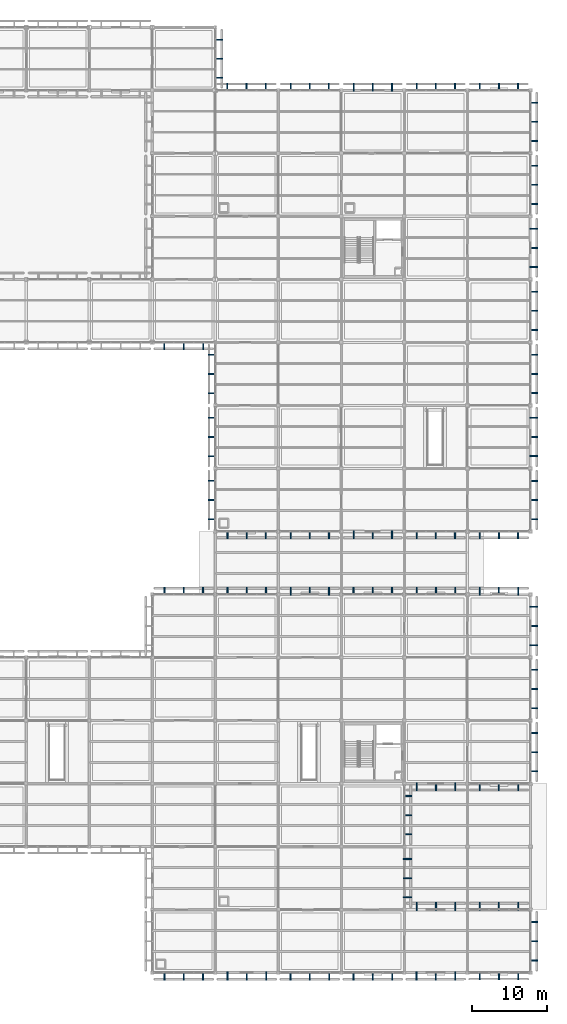
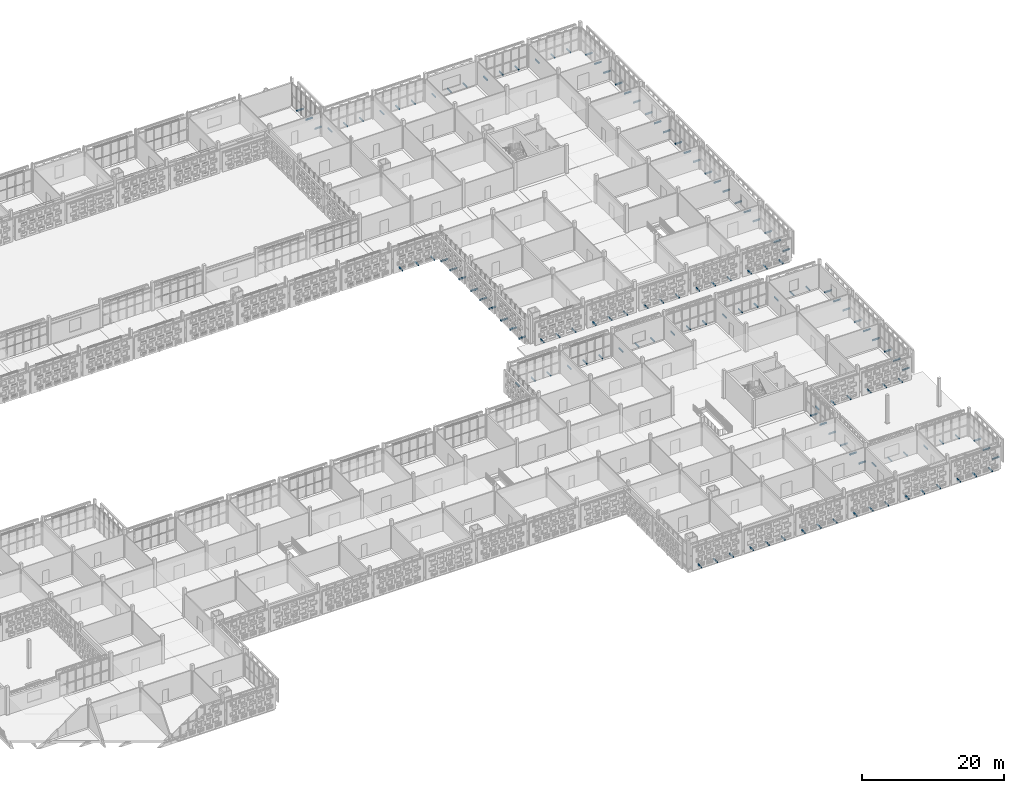
# One storey, part 132 of 203: 132 discrete accessories.
"""IFC4 building model written with IfcOpenShell, lengths in metres."""

from ifc_helpers import new_model, si_unit, direction, frame, origin, origin_2d, place, context, subcontext, project, spatial, rectangle, extrude, material, type_object, element, save


model = new_model("IFC4")

# Units and contexts
model_context = context("Model", 3, precision=1e-05, world=origin(), true_north=direction((0.0, 1.0)))
body_context = subcontext(model_context, "Body", "Model", "MODEL_VIEW")
ifc_project = project(units=[si_unit("LENGTHUNIT", "METRE"), si_unit("AREAUNIT", "SQUARE_METRE"), si_unit("VOLUMEUNIT", "CUBIC_METRE"), si_unit("PLANEANGLEUNIT", "RADIAN"), si_unit("MASSUNIT", "GRAM", prefix="KILO")], contexts=[model_context])

# Site, building, storey
site_placement = place(None, origin())
site = spatial("IfcSite", under=ifc_project, at=site_placement, CompositionType="ELEMENT")
building_placement = place(site_placement, origin())
building = spatial("IfcBuilding", under=site, at=building_placement, Name="Varnapada Polytechnic", CompositionType="ELEMENT")
storey_placement = place(building_placement, frame((0.0, 0.0, 4.800048828125)))
storey = spatial("IfcBuildingStorey", under=building, at=storey_placement, Name="L01", CompositionType="ELEMENT", Elevation=4.800048828125)

# Discrete accessories
ifc_material = material(Name="Steel S355", Category="steel")
discrete_accessory_type = type_object("IfcDiscreteAccessoryType", Name="Screen Outrigger Bracket BRK-01", PredefinedType="BRACKET", material=ifc_material)
for number, where, z_axis, x_axis, name in (
    (1, (132.772705078125, -0.425048828125, -0.0498046875), (0.0, 0.0, 1.0), (-1.0, 0.0, 0.0), "L01 terracotta screen outrigger bracket 102.1"),
    (2, (130.199951171875, -0.425048828125, -0.0498046875), (0.0, 0.0, 1.0), (-1.0, 0.0, 0.0), "L01 terracotta screen outrigger bracket 102.2"),
    (3, (127.627197265625, -0.425048828125, -0.0498046875), (0.0, 0.0, 1.0), (-1.0, 0.0, 0.0), "L01 terracotta screen outrigger bracket 102.3"),
    (4, (127.62548828125, 50.824951171875, -0.0498046875), (0.0, 0.0, 1.0), (1.0, 0.0, 0.0), "L01 terracotta screen outrigger bracket 105.1"),
    (5, (130.195068359375, 50.824951171875, -0.0498046875), (0.0, 0.0, 1.0), (1.0, 0.0, 0.0), "L01 terracotta screen outrigger bracket 105.2"),
    (6, (132.7646484375, 50.824951171875, -0.0498046875), (0.0, 0.0, 1.0), (1.0, 0.0, 0.0), "L01 terracotta screen outrigger bracket 105.3"),
    (7, (132.7919921875, 83.574951171875, -0.0498046875), (0.0, 0.0, 1.0), (-1.0, 0.0, 0.0), "L01 terracotta screen outrigger bracket 107.1"),
    (8, (130.199951171875, 83.574951171875, -0.0498046875), (0.0, 0.0, 1.0), (-1.0, 0.0, 0.0), "L01 terracotta screen outrigger bracket 107.2"),
    (9, (127.60791015625, 83.574951171875, -0.0498046875), (0.0, 0.0, 1.0), (-1.0, 0.0, 0.0), "L01 terracotta screen outrigger bracket 107.3"),
    (10, (134.824951171875, 124.3525390625, -0.0498046875), (0.0, 0.0, 1.0), (0.0, -1.0, 0.0), "L01 terracotta screen outrigger bracket 112.1"),
    (11, (134.824951171875, 121.81494140625, -0.0498046875), (0.0, 0.0, 1.0), (0.0, -1.0, 0.0), "L01 terracotta screen outrigger bracket 112.2"),
    (12, (134.824951171875, 119.27734375, -0.0498046875), (0.0, 0.0, 1.0), (0.0, -1.0, 0.0), "L01 terracotta screen outrigger bracket 112.3"),
    (13, (141.1728515625, -0.425048828125, -0.0498046875), (0.0, 0.0, 1.0), (-1.0, 0.0, 0.0), "L01 terracotta screen outrigger bracket 113.1"),
    (14, (138.60009765625, -0.425048828125, -0.0498046875), (0.0, 0.0, 1.0), (-1.0, 0.0, 0.0), "L01 terracotta screen outrigger bracket 113.2"),
    (15, (136.027099609375, -0.425048828125, -0.0498046875), (0.0, 0.0, 1.0), (-1.0, 0.0, 0.0), "L01 terracotta screen outrigger bracket 113.3"),
    (16, (136.03173828125, 50.824951171875, -0.0498046875), (0.0, 0.0, 1.0), (1.0, 0.0, 0.0), "L01 terracotta screen outrigger bracket 114.1"),
    (17, (138.594970703125, 50.824951171875, -0.0498046875), (0.0, 0.0, 1.0), (1.0, 0.0, 0.0), "L01 terracotta screen outrigger bracket 114.2"),
    (18, (141.158203125, 50.824951171875, -0.0498046875), (0.0, 0.0, 1.0), (1.0, 0.0, 0.0), "L01 terracotta screen outrigger bracket 114.3"),
    (19, (141.141845703125, 58.375, -0.0498046875), (0.0, 0.0, 1.0), (-1.0, 0.0, 0.0), "L01 terracotta screen outrigger bracket 115.1"),
    (20, (138.5849609375, 58.375, -0.0498046875), (0.0, 0.0, 1.0), (-1.0, 0.0, 0.0), "L01 terracotta screen outrigger bracket 115.2"),
    (21, (136.0283203125, 58.375, -0.0498046875), (0.0, 0.0, 1.0), (-1.0, 0.0, 0.0), "L01 terracotta screen outrigger bracket 115.3"),
    (22, (133.97509765625, 60.429931640625, -0.0498046875), (0.0, 0.0, 1.0), (0.0, 1.0, 0.0), "L01 terracotta screen outrigger bracket 116.1"),
    (23, (133.97509765625, 62.989990234375, -0.0498046875), (0.0, 0.0, 1.0), (0.0, 1.0, 0.0), "L01 terracotta screen outrigger bracket 116.2"),
    (24, (133.97509765625, 65.550048828125, -0.0498046875), (0.0, 0.0, 1.0), (0.0, 1.0, 0.0), "L01 terracotta screen outrigger bracket 116.3"),
    (25, (133.97509765625, 68.846435546875, -0.0498046875), (0.0, 0.0, 1.0), (0.0, 1.0, 0.0), "L01 terracotta screen outrigger bracket 117.1"),
    (26, (133.97509765625, 71.39990234375, -0.0498046875), (0.0, 0.0, 1.0), (0.0, 1.0, 0.0), "L01 terracotta screen outrigger bracket 117.2"),
    (27, (133.97509765625, 73.95361328125, -0.0498046875), (0.0, 0.0, 1.0), (0.0, 1.0, 0.0), "L01 terracotta screen outrigger bracket 117.3"),
    (28, (133.97509765625, 77.24462890625, -0.0498046875), (0.0, 0.0, 1.0), (0.0, 1.0, 0.0), "L01 terracotta screen outrigger bracket 118.1"),
    (29, (133.97509765625, 79.794921875, -0.0498046875), (0.0, 0.0, 1.0), (0.0, 1.0, 0.0), "L01 terracotta screen outrigger bracket 118.2"),
    (30, (133.97509765625, 82.345458984375, -0.0498046875), (0.0, 0.0, 1.0), (0.0, 1.0, 0.0), "L01 terracotta screen outrigger bracket 118.3"),
    (31, (135.99365234375, 118.02490234375, -0.0498046875), (0.0, 0.0, 1.0), (1.0, 0.0, 0.0), "L01 terracotta screen outrigger bracket 119.1"),
    (32, (138.56005859375, 118.02490234375, -0.0498046875), (0.0, 0.0, 1.0), (1.0, 0.0, 0.0), "L01 terracotta screen outrigger bracket 119.2"),
    (33, (141.12646484375, 118.02490234375, -0.0498046875), (0.0, 0.0, 1.0), (1.0, 0.0, 0.0), "L01 terracotta screen outrigger bracket 119.3"),
    (34, (149.57275390625, -0.425048828125, -0.0498046875), (0.0, 0.0, 1.0), (-1.0, 0.0, 0.0), "L01 terracotta screen outrigger bracket 120.1"),
    (35, (147.0, -0.425048828125, -0.0498046875), (0.0, 0.0, 1.0), (-1.0, 0.0, 0.0), "L01 terracotta screen outrigger bracket 120.2"),
    (36, (144.42724609375, -0.425048828125, -0.0498046875), (0.0, 0.0, 1.0), (-1.0, 0.0, 0.0), "L01 terracotta screen outrigger bracket 120.3"),
    (37, (144.44189453125, 50.824951171875, -0.0498046875), (0.0, 0.0, 1.0), (1.0, 0.0, 0.0), "L01 terracotta screen outrigger bracket 121.1"),
    (38, (147.0048828125, 50.824951171875, -0.0498046875), (0.0, 0.0, 1.0), (1.0, 0.0, 0.0), "L01 terracotta screen outrigger bracket 121.2"),
    (39, (149.568115234375, 50.824951171875, -0.0498046875), (0.0, 0.0, 1.0), (1.0, 0.0, 0.0), "L01 terracotta screen outrigger bracket 121.3"),
    (40, (149.547119140625, 58.375, -0.0498046875), (0.0, 0.0, 1.0), (-1.0, 0.0, 0.0), "L01 terracotta screen outrigger bracket 122.1"),
    (41, (147.0, 58.375, -0.0498046875), (0.0, 0.0, 1.0), (-1.0, 0.0, 0.0), "L01 terracotta screen outrigger bracket 122.2"),
    (42, (144.452880859375, 58.375, -0.0498046875), (0.0, 0.0, 1.0), (-1.0, 0.0, 0.0), "L01 terracotta screen outrigger bracket 122.3"),
    (43, (144.459228515625, 118.02490234375, -0.0498046875), (0.0, 0.0, 1.0), (1.0, 0.0, 0.0), "L01 terracotta screen outrigger bracket 123.1"),
    (44, (147.0, 118.02490234375, -0.0498046875), (0.0, 0.0, 1.0), (1.0, 0.0, 0.0), "L01 terracotta screen outrigger bracket 123.2"),
    (45, (149.540771484375, 118.02490234375, -0.0498046875), (0.0, 0.0, 1.0), (1.0, 0.0, 0.0), "L01 terracotta screen outrigger bracket 123.3"),
    (46, (157.972900390625, -0.425048828125, -0.0498046875), (0.0, 0.0, 1.0), (-1.0, 0.0, 0.0), "L01 terracotta screen outrigger bracket 124.1"),
    (47, (155.39990234375, -0.425048828125, -0.0498046875), (0.0, 0.0, 1.0), (-1.0, 0.0, 0.0), "L01 terracotta screen outrigger bracket 124.2"),
    (48, (152.8271484375, -0.425048828125, -0.0498046875), (0.0, 0.0, 1.0), (-1.0, 0.0, 0.0), "L01 terracotta screen outrigger bracket 124.3"),
    (49, (160.02490234375, 15.159912109375, -0.0498046875), (0.0, 0.0, 1.0), (0.0, -1.0, 0.0), "L01 terracotta screen outrigger bracket 125.1"),
    (50, (160.02490234375, 12.60009765625, -0.0498046875), (0.0, 0.0, 1.0), (0.0, -1.0, 0.0), "L01 terracotta screen outrigger bracket 125.2"),
    (51, (160.02490234375, 10.0400390625, -0.0498046875), (0.0, 0.0, 1.0), (0.0, -1.0, 0.0), "L01 terracotta screen outrigger bracket 125.3"),
    (52, (160.02490234375, 23.56005859375, -0.0498046875), (0.0, 0.0, 1.0), (0.0, -1.0, 0.0), "L01 terracotta screen outrigger bracket 126.1"),
    (53, (160.02490234375, 21.0, -0.0498046875), (0.0, 0.0, 1.0), (0.0, -1.0, 0.0), "L01 terracotta screen outrigger bracket 126.2"),
    (54, (160.02490234375, 18.43994140625, -0.0498046875), (0.0, 0.0, 1.0), (0.0, -1.0, 0.0), "L01 terracotta screen outrigger bracket 126.3"),
    (55, (152.831787109375, 50.824951171875, -0.0498046875), (0.0, 0.0, 1.0), (1.0, 0.0, 0.0), "L01 terracotta screen outrigger bracket 127.1"),
    (56, (155.39501953125, 50.824951171875, -0.0498046875), (0.0, 0.0, 1.0), (1.0, 0.0, 0.0), "L01 terracotta screen outrigger bracket 127.2"),
    (57, (157.958251953125, 50.824951171875, -0.0498046875), (0.0, 0.0, 1.0), (1.0, 0.0, 0.0), "L01 terracotta screen outrigger bracket 127.3"),
    (58, (157.947265625, 58.375, -0.0498046875), (0.0, 0.0, 1.0), (-1.0, 0.0, 0.0), "L01 terracotta screen outrigger bracket 128.1"),
    (59, (155.39990234375, 58.375, -0.0498046875), (0.0, 0.0, 1.0), (-1.0, 0.0, 0.0), "L01 terracotta screen outrigger bracket 128.2"),
    (60, (152.852783203125, 58.375, -0.0498046875), (0.0, 0.0, 1.0), (-1.0, 0.0, 0.0), "L01 terracotta screen outrigger bracket 128.3"),
    (61, (152.859130859375, 118.02490234375, -0.0498046875), (0.0, 0.0, 1.0), (1.0, 0.0, 0.0), "L01 terracotta screen outrigger bracket 129.1"),
    (62, (155.39990234375, 118.02490234375, -0.0498046875), (0.0, 0.0, 1.0), (1.0, 0.0, 0.0), "L01 terracotta screen outrigger bracket 129.2"),
    (63, (157.94091796875, 118.02490234375, -0.0498046875), (0.0, 0.0, 1.0), (1.0, 0.0, 0.0), "L01 terracotta screen outrigger bracket 129.3"),
    (64, (166.372802734375, -0.425048828125, -0.0498046875), (0.0, 0.0, 1.0), (-1.0, 0.0, 0.0), "L01 terracotta screen outrigger bracket 130.1"),
    (65, (163.800048828125, -0.425048828125, -0.0498046875), (0.0, 0.0, 1.0), (-1.0, 0.0, 0.0), "L01 terracotta screen outrigger bracket 130.2"),
    (66, (161.227294921875, -0.425048828125, -0.0498046875), (0.0, 0.0, 1.0), (-1.0, 0.0, 0.0), "L01 terracotta screen outrigger bracket 130.3"),
    (67, (161.24169921875, 8.824951171875, -0.0498046875), (0.0, 0.0, 1.0), (1.0, 0.0, 0.0), "L01 terracotta screen outrigger bracket 131.1"),
    (68, (163.804931640625, 8.824951171875, -0.0498046875), (0.0, 0.0, 1.0), (1.0, 0.0, 0.0), "L01 terracotta screen outrigger bracket 131.2"),
    (69, (166.3681640625, 8.824951171875, -0.0498046875), (0.0, 0.0, 1.0), (1.0, 0.0, 0.0), "L01 terracotta screen outrigger bracket 131.3"),
    (70, (166.3681640625, 24.77490234375, -0.0498046875), (0.0, 0.0, 1.0), (-1.0, 0.0, 0.0), "L01 terracotta screen outrigger bracket 132.1"),
    (71, (163.804931640625, 24.77490234375, -0.0498046875), (0.0, 0.0, 1.0), (-1.0, 0.0, 0.0), "L01 terracotta screen outrigger bracket 132.2"),
    (72, (161.24169921875, 24.77490234375, -0.0498046875), (0.0, 0.0, 1.0), (-1.0, 0.0, 0.0), "L01 terracotta screen outrigger bracket 132.3"),
    (73, (161.24169921875, 50.824951171875, -0.0498046875), (0.0, 0.0, 1.0), (1.0, 0.0, 0.0), "L01 terracotta screen outrigger bracket 133.1"),
    (74, (163.804931640625, 50.824951171875, -0.0498046875), (0.0, 0.0, 1.0), (1.0, 0.0, 0.0), "L01 terracotta screen outrigger bracket 133.2"),
    (75, (166.3681640625, 50.824951171875, -0.0498046875), (0.0, 0.0, 1.0), (1.0, 0.0, 0.0), "L01 terracotta screen outrigger bracket 133.3"),
    (76, (166.34716796875, 58.375, -0.0498046875), (0.0, 0.0, 1.0), (-1.0, 0.0, 0.0), "L01 terracotta screen outrigger bracket 134.1"),
    (77, (163.800048828125, 58.375, -0.0498046875), (0.0, 0.0, 1.0), (-1.0, 0.0, 0.0), "L01 terracotta screen outrigger bracket 134.2"),
    (78, (161.252685546875, 58.375, -0.0498046875), (0.0, 0.0, 1.0), (-1.0, 0.0, 0.0), "L01 terracotta screen outrigger bracket 134.3"),
    (79, (161.25927734375, 118.02490234375, -0.0498046875), (0.0, 0.0, 1.0), (1.0, 0.0, 0.0), "L01 terracotta screen outrigger bracket 135.1"),
    (80, (163.800048828125, 118.02490234375, -0.0498046875), (0.0, 0.0, 1.0), (1.0, 0.0, 0.0), "L01 terracotta screen outrigger bracket 135.2"),
    (81, (166.3408203125, 118.02490234375, -0.0498046875), (0.0, 0.0, 1.0), (1.0, 0.0, 0.0), "L01 terracotta screen outrigger bracket 135.3"),
    (82, (174.772705078125, -0.425048828125, -0.0498046875), (0.0, 0.0, 1.0), (-1.0, 0.0, 0.0), "L01 terracotta screen outrigger bracket 136.1"),
    (83, (172.199951171875, -0.425048828125, -0.0498046875), (0.0, 0.0, 1.0), (-1.0, 0.0, 0.0), "L01 terracotta screen outrigger bracket 136.2"),
    (84, (169.627197265625, -0.425048828125, -0.0498046875), (0.0, 0.0, 1.0), (-1.0, 0.0, 0.0), "L01 terracotta screen outrigger bracket 136.3"),
    (85, (169.6318359375, 8.824951171875, -0.0498046875), (0.0, 0.0, 1.0), (1.0, 0.0, 0.0), "L01 terracotta screen outrigger bracket 137.1"),
    (86, (172.195068359375, 8.824951171875, -0.0498046875), (0.0, 0.0, 1.0), (1.0, 0.0, 0.0), "L01 terracotta screen outrigger bracket 137.2"),
    (87, (174.75830078125, 8.824951171875, -0.0498046875), (0.0, 0.0, 1.0), (1.0, 0.0, 0.0), "L01 terracotta screen outrigger bracket 137.3"),
    (88, (176.824951171875, 6.75634765625, -0.0498046875), (0.0, 0.0, 1.0), (0.0, -1.0, 0.0), "L01 terracotta screen outrigger bracket 138.1"),
    (89, (176.824951171875, 4.18994140625, -0.0498046875), (0.0, 0.0, 1.0), (0.0, -1.0, 0.0), "L01 terracotta screen outrigger bracket 138.2"),
    (90, (176.824951171875, 1.62353515625, -0.0498046875), (0.0, 0.0, 1.0), (0.0, -1.0, 0.0), "L01 terracotta screen outrigger bracket 138.3"),
    (91, (174.75830078125, 24.77490234375, -0.0498046875), (0.0, 0.0, 1.0), (-1.0, 0.0, 0.0), "L01 terracotta screen outrigger bracket 139.1"),
    (92, (172.195068359375, 24.77490234375, -0.0498046875), (0.0, 0.0, 1.0), (-1.0, 0.0, 0.0), "L01 terracotta screen outrigger bracket 139.2"),
    (93, (169.6318359375, 24.77490234375, -0.0498046875), (0.0, 0.0, 1.0), (-1.0, 0.0, 0.0), "L01 terracotta screen outrigger bracket 139.3"),
    (94, (176.824951171875, 31.9599609375, -0.0498046875), (0.0, 0.0, 1.0), (0.0, -1.0, 0.0), "L01 terracotta screen outrigger bracket 140.1"),
    (95, (176.824951171875, 29.39990234375, -0.0498046875), (0.0, 0.0, 1.0), (0.0, -1.0, 0.0), "L01 terracotta screen outrigger bracket 140.2"),
    (96, (176.824951171875, 26.840087890625, -0.0498046875), (0.0, 0.0, 1.0), (0.0, -1.0, 0.0), "L01 terracotta screen outrigger bracket 140.3"),
    (97, (176.824951171875, 40.360107421875, -0.0498046875), (0.0, 0.0, 1.0), (0.0, -1.0, 0.0), "L01 terracotta screen outrigger bracket 141.1"),
    (98, (176.824951171875, 37.800048828125, -0.0498046875), (0.0, 0.0, 1.0), (0.0, -1.0, 0.0), "L01 terracotta screen outrigger bracket 141.2"),
    (99, (176.824951171875, 35.239990234375, -0.0498046875), (0.0, 0.0, 1.0), (0.0, -1.0, 0.0), "L01 terracotta screen outrigger bracket 141.3"),
    (100, (169.6318359375, 50.824951171875, -0.0498046875), (0.0, 0.0, 1.0), (1.0, 0.0, 0.0), "L01 terracotta screen outrigger bracket 142.1"),
    (101, (172.195068359375, 50.824951171875, -0.0498046875), (0.0, 0.0, 1.0), (1.0, 0.0, 0.0), "L01 terracotta screen outrigger bracket 142.2"),
    (102, (174.75830078125, 50.824951171875, -0.0498046875), (0.0, 0.0, 1.0), (1.0, 0.0, 0.0), "L01 terracotta screen outrigger bracket 142.3"),
    (103, (176.824951171875, 48.760009765625, -0.0498046875), (0.0, 0.0, 1.0), (0.0, -1.0, 0.0), "L01 terracotta screen outrigger bracket 143.1"),
    (104, (176.824951171875, 46.199951171875, -0.0498046875), (0.0, 0.0, 1.0), (0.0, -1.0, 0.0), "L01 terracotta screen outrigger bracket 143.2"),
    (105, (176.824951171875, 43.639892578125, -0.0498046875), (0.0, 0.0, 1.0), (0.0, -1.0, 0.0), "L01 terracotta screen outrigger bracket 143.3"),
    (106, (174.747314453125, 58.375, -0.0498046875), (0.0, 0.0, 1.0), (-1.0, 0.0, 0.0), "L01 terracotta screen outrigger bracket 144.1"),
    (107, (172.199951171875, 58.375, -0.0498046875), (0.0, 0.0, 1.0), (-1.0, 0.0, 0.0), "L01 terracotta screen outrigger bracket 144.2"),
    (108, (169.65283203125, 58.375, -0.0498046875), (0.0, 0.0, 1.0), (-1.0, 0.0, 0.0), "L01 terracotta screen outrigger bracket 144.3"),
    (109, (176.824951171875, 65.5390625, -0.0498046875), (0.0, 0.0, 1.0), (0.0, -1.0, 0.0), "L01 terracotta screen outrigger bracket 145.1"),
    (110, (176.824951171875, 62.9951171875, -0.0498046875), (0.0, 0.0, 1.0), (0.0, -1.0, 0.0), "L01 terracotta screen outrigger bracket 145.2"),
    (111, (176.824951171875, 60.450927734375, -0.0498046875), (0.0, 0.0, 1.0), (0.0, -1.0, 0.0), "L01 terracotta screen outrigger bracket 145.3"),
    (112, (176.824951171875, 73.948974609375, -0.0498046875), (0.0, 0.0, 1.0), (0.0, -1.0, 0.0), "L01 terracotta screen outrigger bracket 146.1"),
    (113, (176.824951171875, 71.405029296875, -0.0498046875), (0.0, 0.0, 1.0), (0.0, -1.0, 0.0), "L01 terracotta screen outrigger bracket 146.2"),
    (114, (176.824951171875, 68.861083984375, -0.0498046875), (0.0, 0.0, 1.0), (0.0, -1.0, 0.0), "L01 terracotta screen outrigger bracket 146.3"),
    (115, (176.824951171875, 82.339111328125, -0.0498046875), (0.0, 0.0, 1.0), (0.0, -1.0, 0.0), "L01 terracotta screen outrigger bracket 147.1"),
    (116, (176.824951171875, 79.794921875, -0.0498046875), (0.0, 0.0, 1.0), (0.0, -1.0, 0.0), "L01 terracotta screen outrigger bracket 147.2"),
    (117, (176.824951171875, 77.2509765625, -0.0498046875), (0.0, 0.0, 1.0), (0.0, -1.0, 0.0), "L01 terracotta screen outrigger bracket 147.3"),
    (118, (176.824951171875, 90.7490234375, -0.0498046875), (0.0, 0.0, 1.0), (0.0, -1.0, 0.0), "L01 terracotta screen outrigger bracket 148.1"),
    (119, (176.824951171875, 88.205078125, -0.0498046875), (0.0, 0.0, 1.0), (0.0, -1.0, 0.0), "L01 terracotta screen outrigger bracket 148.2"),
    (120, (176.824951171875, 85.660888671875, -0.0498046875), (0.0, 0.0, 1.0), (0.0, -1.0, 0.0), "L01 terracotta screen outrigger bracket 148.3"),
    (121, (176.824951171875, 99.138916015625, -0.0498046875), (0.0, 0.0, 1.0), (0.0, -1.0, 0.0), "L01 terracotta screen outrigger bracket 149.1"),
    (122, (176.824951171875, 96.594970703125, -0.0498046875), (0.0, 0.0, 1.0), (0.0, -1.0, 0.0), "L01 terracotta screen outrigger bracket 149.2"),
    (123, (176.824951171875, 94.051025390625, -0.0498046875), (0.0, 0.0, 1.0), (0.0, -1.0, 0.0), "L01 terracotta screen outrigger bracket 149.3"),
    (124, (176.824951171875, 107.549072265625, -0.0498046875), (0.0, 0.0, 1.0), (0.0, -1.0, 0.0), "L01 terracotta screen outrigger bracket 150.1"),
    (125, (176.824951171875, 105.0048828125, -0.0498046875), (0.0, 0.0, 1.0), (0.0, -1.0, 0.0), "L01 terracotta screen outrigger bracket 150.2"),
    (126, (176.824951171875, 102.4609375, -0.0498046875), (0.0, 0.0, 1.0), (0.0, -1.0, 0.0), "L01 terracotta screen outrigger bracket 150.3"),
    (127, (169.6591796875, 118.02490234375, -0.0498046875), (0.0, 0.0, 1.0), (1.0, 0.0, 0.0), "L01 terracotta screen outrigger bracket 151.1"),
    (128, (172.199951171875, 118.02490234375, -0.0498046875), (0.0, 0.0, 1.0), (1.0, 0.0, 0.0), "L01 terracotta screen outrigger bracket 151.2"),
    (129, (174.74072265625, 118.02490234375, -0.0498046875), (0.0, 0.0, 1.0), (1.0, 0.0, 0.0), "L01 terracotta screen outrigger bracket 151.3"),
    (130, (176.824951171875, 115.93896484375, -0.0498046875), (0.0, 0.0, 1.0), (0.0, -1.0, 0.0), "L01 terracotta screen outrigger bracket 152.1"),
    (131, (176.824951171875, 113.39501953125, -0.0498046875), (0.0, 0.0, 1.0), (0.0, -1.0, 0.0), "L01 terracotta screen outrigger bracket 152.2"),
    (132, (176.824951171875, 110.85107421875, -0.0498046875), (0.0, 0.0, 1.0), (0.0, -1.0, 0.0), "L01 terracotta screen outrigger bracket 152.3"),
):
    element("IfcDiscreteAccessory", number, at=place(storey_placement, frame(where, z_axis=z_axis, x_axis=x_axis)), inside=storey, type_object=discrete_accessory_type, Name=name, PredefinedType="BRACKET", context=body_context, shape_type="SweptSolid", body=[
        extrude(rectangle(XDim=0.159912109375, YDim=1.090087890625, at=origin_2d()), origin(), (0.0, 0.0, 1.0), 0.219970703125),
    ])

save(model, "model.ifc")
